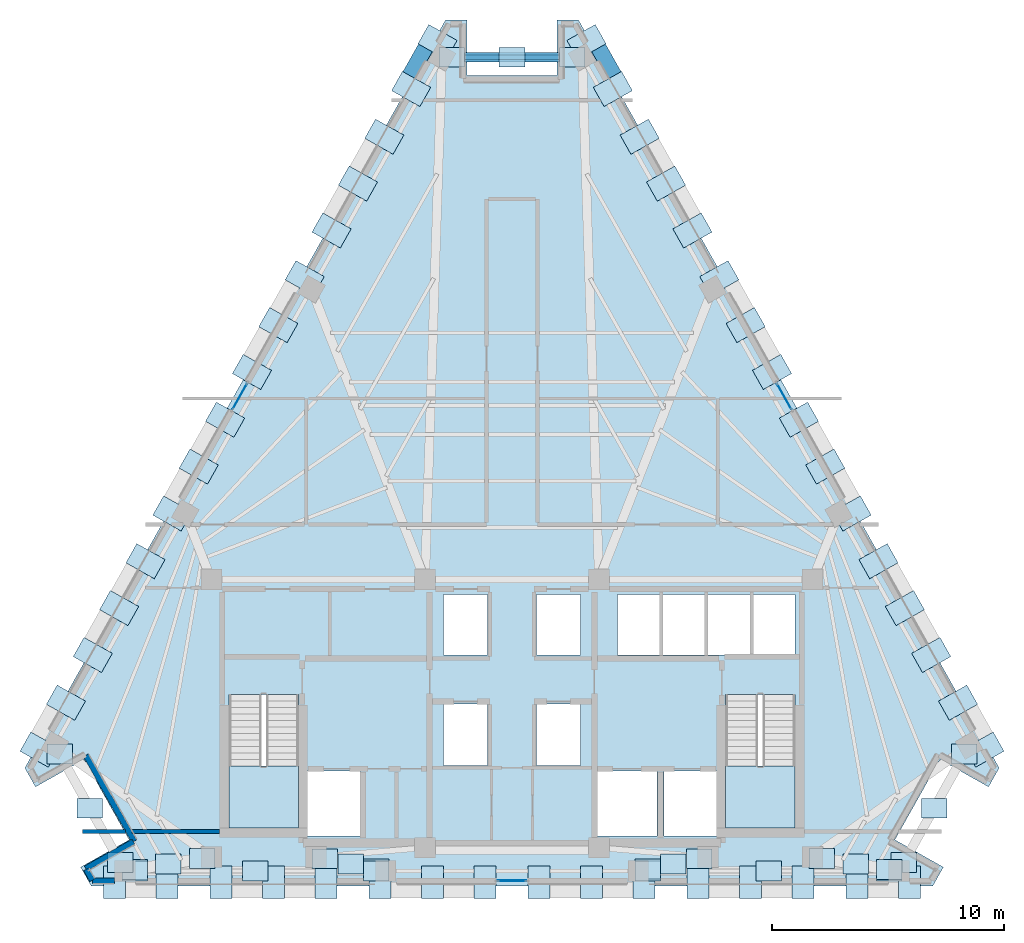
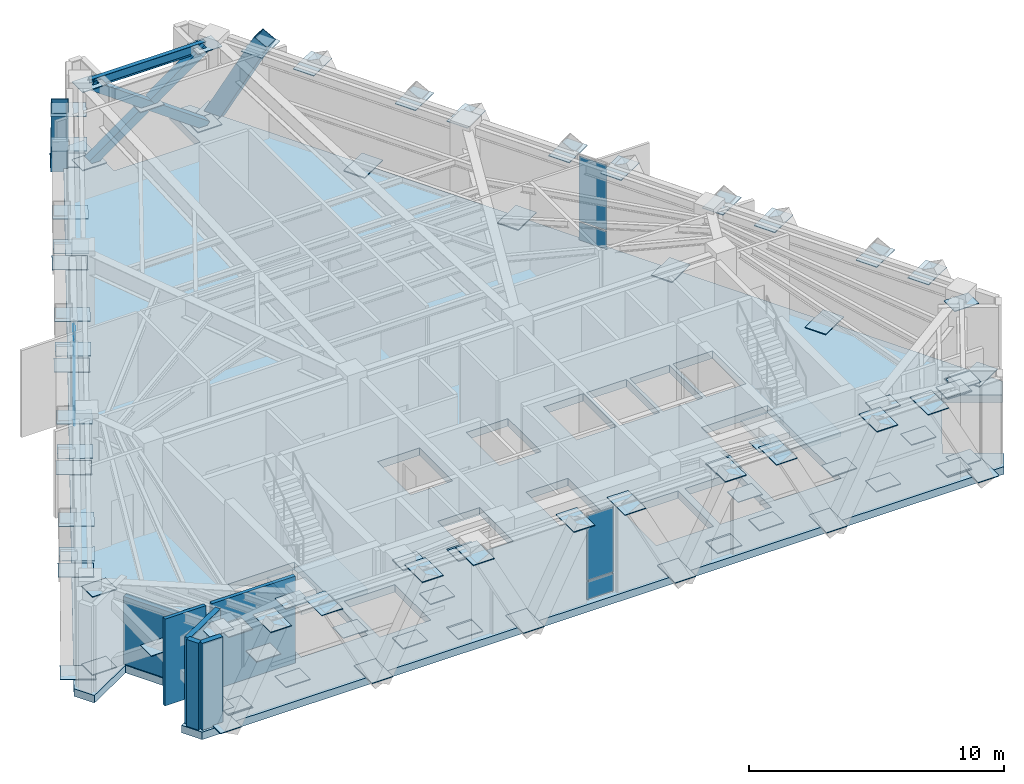
# One storey, part 5 of 11: 99 plates, 6 walls, 5 members, 3 slabs, 1 beam, 5 elements without a shape of their own.
"""IFC4 building model written with IfcOpenShell, lengths in metres."""

from ifc_helpers import new_model, si_unit, direction, frame, frame_2d, origin, origin_2d, place, context, subcontext, project, spatial, polyline, rectangle, hollow_rectangle, i_section, outline, extrude, material, layer, layer_set, material_profile, profile_set, type_object, element, aggregate, save


model = new_model("IFC4")

# Units and contexts
model_context = context("Model", 3, precision=1e-05, world=origin(), true_north=direction((0.0, 1.0)))
body_context = subcontext(model_context, "Body", "Model", "MODEL_VIEW")
ifc_project = project(units=[si_unit("LENGTHUNIT", "METRE"), si_unit("AREAUNIT", "SQUARE_METRE"), si_unit("VOLUMEUNIT", "CUBIC_METRE"), si_unit("PLANEANGLEUNIT", "RADIAN"), si_unit("MASSUNIT", "GRAM", prefix="KILO")], contexts=[model_context])

# Site, building, storey
site_placement = place(None, origin())
site = spatial("IfcSite", under=ifc_project, at=site_placement, CompositionType="ELEMENT")
building_placement = place(site_placement, origin())
building = spatial("IfcBuilding", under=site, at=building_placement, Name="Quenlor Broadcast Tower", CompositionType="ELEMENT")
storey_placement = place(building_placement, frame((0.0, 0.0, 179.0)))
storey = spatial("IfcBuildingStorey", under=building, at=storey_placement, Name="L49", CompositionType="ELEMENT", Elevation=179.0)

# Members
ifc_material_1 = material(Name="Steel S355", Category="steel")
ifc_material_profile_1 = material_profile(ifc_material_1, hollow_rectangle(XDim=0.39990234375, YDim=0.39990234375, WallThickness=0.02197265625, at=origin_2d()))
ifc_profile_set_1 = profile_set([ifc_material_profile_1], Name="Steel S355 RHS400x400x22")
member_type_1 = type_object("IfcMemberType", Name="Belt Truss Diagonal Chord Steel S355 RHS400x22", PredefinedType="CHORD", material=ifc_profile_set_1)
member_placement = place(storey_placement, frame((2.6005859375, 17.704345703125, 0.199951171875), z_axis=(-0.81263407144, 0.0, 0.582774283865), x_axis=(0.0, -1.0, 0.0)))
element("IfcMember", 1, at=member_placement, inside=storey, type_object=member_type_1, Name="L49 Belt Truss Continuous Chord 8A", PredefinedType="CHORD", context=body_context, shape_type="SweptSolid", body=[
    extrude(hollow_rectangle(XDim=0.39990234375, YDim=0.39990234375, WallThickness=0.02197265625, at=origin_2d()), origin(), (0.0, 0.0, 1.0), 6.400390625),
])
for number, where, z_axis, x_axis, name in (
    (2, (2.6005859375, 17.704345703125, 3.929931640625), (-0.812663494115, 0.0, -0.582733254013), (0.0, -1.0, 0.0), "L49 Belt Truss Split Chord 8B1"),
    (3, (-0.154296875, 17.704345703125, 1.954345703125), (-0.812625085998, 0.0, -0.582786813172), (0.0, -1.0, 0.0), "L49 Belt Truss Split Chord 8B2"),
):
    element("IfcMember", number, at=place(storey_placement, frame(where, z_axis=z_axis, x_axis=x_axis)), inside=storey, type_object=member_type_1, Name=name, PredefinedType="CHORD", context=body_context, shape_type="SweptSolid", body=[
        extrude(hollow_rectangle(XDim=0.39990234375, YDim=0.39990234375, WallThickness=0.02197265625, at=origin_2d()), origin(), (0.0, 0.0, 1.0), 3.01025390625),
    ])
ifc_material_2 = material(Name="Steel S355", Category="steel")
ifc_material_profile_2 = material_profile(ifc_material_2, hollow_rectangle(XDim=0.679931640625, YDim=0.679931640625, WallThickness=0.02490234375, at=origin_2d()))
ifc_profile_set_2 = profile_set([ifc_material_profile_2], Name="Steel S355 RHS680x680x25")
member_type_2 = type_object("IfcMemberType", Name="Perimeter Diagonal Lattice Brace Z3-Z4 Steel S355 RHS680x25", PredefinedType="BRACE", material=ifc_profile_set_2)
for number, where, z_axis, x_axis, name in (
    (4, (3.50732421875, 18.51171875, -0.1201171875), (0.227393238836, -0.40425464682, 0.885929170677), (0.871575537125, 0.490261239633, 0.0), "L49 Perimeter Diamond Lattice NE-C1S"),
    (5, (-3.50732421875, 18.51171875, -0.1201171875), (-0.227393238836, -0.40425464682, 0.885929170677), (0.871575537125, -0.490261239633, 0.0), "L49 Perimeter Diamond Lattice NW-C5B"),
):
    element("IfcMember", number, at=place(storey_placement, frame(where, z_axis=z_axis, x_axis=x_axis)), inside=storey, type_object=member_type_2, Name=name, PredefinedType="BRACE", context=body_context, shape_type="SweptSolid", body=[
        extrude(hollow_rectangle(XDim=0.679931640625, YDim=0.679931640625, WallThickness=0.02490234375, at=origin_2d()), origin(), (0.0, 0.0, 1.0), 4.966796875),
    ])

# Beam
ifc_material_3 = material(Name="Steel S355", Category="steel")
ifc_material_profile_3 = material_profile(ifc_material_3, i_section(OverallWidth=0.18994140625, OverallDepth=0.453857421875, WebThickness=0.008544921875, FlangeThickness=0.0126953125, FilletRadius=0.011474609375, at=origin_2d()))
ifc_profile_set_3 = profile_set([ifc_material_profile_3], Name="Steel S355 460UB67.1")
beam_type = type_object("IfcBeamType", Name="Perimeter Spandrel Beam Z4 Steel S355 460UB67.1", PredefinedType="SPANDREL", material=ifc_profile_set_3)
beam_placement = place(storey_placement, frame((2.610595703125, 17.704345703125, 3.923095703125), z_axis=(-1.0, 0.0, 0.0), x_axis=(0.0, -1.0, 0.0)))
element("IfcBeam", 6, at=beam_placement, inside=storey, type_object=beam_type, Name="L49 Spandrel Beam NE4-NW1", PredefinedType="SPANDREL", context=body_context, shape_type="SweptSolid", body=[
    extrude(i_section(OverallWidth=0.18994140625, OverallDepth=0.453857421875, WebThickness=0.008544921875, FlangeThickness=0.0126953125, FilletRadius=0.011474609375, at=origin_2d()), origin(), (0.0, 0.0, 1.0), 5.22119140625),
])

# Curtain wall, plates
ifc_material_4 = material(Name="Architectural Terracotta and Low-E Glazing", Category="masonry")
curtain_wall_type = type_object("IfcCurtainWallType", Name="Unitised Terracotta Curtain Wall System Z4", PredefinedType="NOTDEFINED", material=ifc_material_4)
curtain_wall_1_placement = place(storey_placement, origin())
curtain_wall_1 = element("IfcCurtainWall", 7, at=curtain_wall_1_placement, inside=storey, type_object=curtain_wall_type, Name="L49 Curtain Wall CW4 (L49-S-G1)", PredefinedType="NOTDEFINED")
ifc_material_5 = material(Name="Double Glazed Low-E Solar Glass", Category="glass")
ifc_layer_1 = layer(ifc_material_5, 0.028076171875)
ifc_layer_set_1 = layer_set([ifc_layer_1], Name="CW4 Double Glazed Vision Panel 28")
plate_type_1 = type_object("IfcPlateType", Name="CW4 Double Glazed Vision Panel 28", PredefinedType="CURTAIN_PANEL", material=ifc_layer_set_1)
plate_1_placement = place(storey_placement, frame((0.0, -17.77490234375, 0.06787109375), z_axis=(0.0, 0.0, 1.0), x_axis=(-1.0, 0.0, 0.0)))
plate_1 = element("IfcPlate", 8, at=plate_1_placement, type_object=plate_type_1, Name="CW4 panel 1.1", PredefinedType="CURTAIN_PANEL", context=body_context, shape_type="SweptSolid", body=[
    extrude(rectangle(XDim=1.206787109375, YDim=0.028076171875, at=origin_2d()), origin(), (0.0, 0.0, 1.0), 0.847900390625),
])
plate_2_placement = place(storey_placement, frame((0.0, -17.77490234375, 0.98388671875), z_axis=(0.0, 0.0, 1.0), x_axis=(-1.0, 0.0, 0.0)))
plate_2 = element("IfcPlate", 9, at=plate_2_placement, type_object=plate_type_1, Name="CW4 panel 1.2", PredefinedType="CURTAIN_PANEL", context=body_context, shape_type="SweptSolid", body=[
    extrude(rectangle(XDim=1.206787109375, YDim=0.028076171875, at=origin_2d()), origin(), (0.0, 0.0, 1.0), 3.097900390625),
])
aggregate(curtain_wall_1, [plate_1, plate_2])

curtain_wall_2_placement = place(storey_placement, origin())
curtain_wall_2 = element("IfcCurtainWall", 10, at=curtain_wall_2_placement, inside=storey, type_object=curtain_wall_type, Name="L49 Curtain Wall CW4 (L49-NE-G1)", PredefinedType="NOTDEFINED")
plate_3_placement = place(storey_placement, frame((11.72900390625, 3.089599609375, 0.06787109375), z_axis=(0.0, 0.0, 1.0), x_axis=(0.490268073687, -0.871571692934, 0.0)))
plate_3 = element("IfcPlate", 11, at=plate_3_placement, type_object=plate_type_1, Name="CW4 panel 1.1", PredefinedType="CURTAIN_PANEL", context=body_context, shape_type="SweptSolid", body=[
    extrude(rectangle(XDim=1.25341796875, YDim=0.028076171875, at=origin_2d()), origin(), (0.0, 0.0, 1.0), 0.847900390625),
])
plate_4_placement = place(storey_placement, frame((11.72900390625, 3.089599609375, 0.98388671875), z_axis=(0.0, 0.0, 1.0), x_axis=(0.490268073687, -0.871571692934, 0.0)))
plate_4 = element("IfcPlate", 12, at=plate_4_placement, type_object=plate_type_1, Name="CW4 panel 1.2", PredefinedType="CURTAIN_PANEL", context=body_context, shape_type="SweptSolid", body=[
    extrude(rectangle(XDim=1.25341796875, YDim=0.028076171875, at=origin_2d()), origin(), (0.0, 0.0, 1.0), 3.097900390625),
])
aggregate(curtain_wall_2, [plate_3, plate_4])

curtain_wall_3_placement = place(storey_placement, origin())
curtain_wall_3 = element("IfcCurtainWall", 13, at=curtain_wall_3_placement, inside=storey, type_object=curtain_wall_type, Name="L49 Curtain Wall CW4 (L49-NW-G1)", PredefinedType="NOTDEFINED")
plate_5_placement = place(storey_placement, frame((-11.72900390625, 3.089599609375, 0.06787109375), z_axis=(0.0, 0.0, 1.0), x_axis=(0.490268073687, 0.871571692934, 0.0)))
plate_5 = element("IfcPlate", 14, at=plate_5_placement, type_object=plate_type_1, Name="CW4 panel 1.1", PredefinedType="CURTAIN_PANEL", context=body_context, shape_type="SweptSolid", body=[
    extrude(rectangle(XDim=1.25341796875, YDim=0.028076171875, at=origin_2d()), origin(), (0.0, 0.0, 1.0), 0.847900390625),
])
plate_6_placement = place(storey_placement, frame((-11.72900390625, 3.089599609375, 0.98388671875), z_axis=(0.0, 0.0, 1.0), x_axis=(0.490268073687, 0.871571692934, 0.0)))
plate_6 = element("IfcPlate", 15, at=plate_6_placement, type_object=plate_type_1, Name="CW4 panel 1.2", PredefinedType="CURTAIN_PANEL", context=body_context, shape_type="SweptSolid", body=[
    extrude(rectangle(XDim=1.25341796875, YDim=0.028076171875, at=origin_2d()), origin(), (0.0, 0.0, 1.0), 3.097900390625),
])
aggregate(curtain_wall_3, [plate_5, plate_6])

# Plates
ifc_material_6 = material(Name="Steel S355", Category="steel")
ifc_layer_2 = layer(ifc_material_6, 0.031982421875)
ifc_layer_set_2 = layer_set([ifc_layer_2], Name="Outrigger Perimeter Steel S355 Belt Gusset Plate 1100x850x32")
plate_type_2 = type_object("IfcPlateType", Name="Outrigger Perimeter Steel S355 Belt Gusset Plate 1100x850x32", PredefinedType="SHEET", material=ifc_layer_set_2)
for number, where, z_axis, x_axis, name in (
    (16, (-14.802978515625, -17.04833984375, 2.048828125), (0.0, 0.0, 1.0), (1.0, 0.0, 0.0), "L49 Outrigger Gusset Plate 1-MID"),
    (17, (-13.344970703125, -16.813720703125, 0.18408203125), (0.0, 0.0, 1.0), (1.0, 0.0, 0.0), "L49 Outrigger Gusset Plate 1-E1"),
    (18, (-16.26123046875, -17.283203125, 3.9140625), (0.0, 0.0, 1.0), (1.0, 0.0, 0.0), "L49 Outrigger Gusset Plate 1-E2"),
    (19, (-13.344970703125, -16.813720703125, 3.9140625), (0.0, 0.0, 1.0), (1.0, 0.0, 0.0), "L49 Outrigger Gusset Plate 1-E3"),
    (20, (-16.26123046875, -17.283203125, 0.18408203125), (0.0, 0.0, 1.0), (1.0, 0.0, 0.0), "L49 Outrigger Gusset Plate 1-E4"),
    (21, (14.802978515625, -17.04833984375, 2.048828125), (0.0, 0.0, 1.0), (1.0, 0.0, 0.0), "L49 Outrigger Gusset Plate 2-MID"),
    (22, (13.344970703125, -16.813720703125, 0.18408203125), (0.0, 0.0, 1.0), (1.0, 0.0, 0.0), "L49 Outrigger Gusset Plate 2-E1"),
    (23, (16.26123046875, -17.283203125, 3.9140625), (0.0, 0.0, 1.0), (1.0, 0.0, 0.0), "L49 Outrigger Gusset Plate 2-E2"),
    (24, (13.344970703125, -16.813720703125, 3.9140625), (0.0, 0.0, 1.0), (1.0, 0.0, 0.0), "L49 Outrigger Gusset Plate 2-E3"),
    (25, (16.26123046875, -17.283203125, 0.18408203125), (0.0, 0.0, 1.0), (1.0, 0.0, 0.0), "L49 Outrigger Gusset Plate 2-E4"),
    (26, (-6.95361328125, -17.048095703125, 2.048828125), (0.0, 0.0, 1.0), (1.0, 0.0, 0.0), "L49 Outrigger Gusset Plate 3-MID"),
    (27, (-8.0576171875, -16.828125, 0.18408203125), (0.0, 0.0, 1.0), (1.0, 0.0, 0.0), "L49 Outrigger Gusset Plate 3-E1"),
    (28, (-5.849609375, -17.26806640625, 3.9140625), (0.0, 0.0, 1.0), (1.0, 0.0, 0.0), "L49 Outrigger Gusset Plate 3-E2"),
    (29, (-8.0576171875, -16.828125, 3.9140625), (0.0, 0.0, 1.0), (1.0, 0.0, 0.0), "L49 Outrigger Gusset Plate 3-E3"),
    (30, (-5.849609375, -17.26806640625, 0.18408203125), (0.0, 0.0, 1.0), (1.0, 0.0, 0.0), "L49 Outrigger Gusset Plate 3-E4"),
    (31, (6.95361328125, -17.048095703125, 2.048828125), (0.0, 0.0, 1.0), (1.0, 0.0, 0.0), "L49 Outrigger Gusset Plate 4-MID"),
    (32, (8.0576171875, -16.828125, 0.18408203125), (0.0, 0.0, 1.0), (1.0, 0.0, 0.0), "L49 Outrigger Gusset Plate 4-E1"),
    (33, (5.849609375, -17.26806640625, 3.9140625), (0.0, 0.0, 1.0), (1.0, 0.0, 0.0), "L49 Outrigger Gusset Plate 4-E2"),
    (34, (8.0576171875, -16.828125, 3.9140625), (0.0, 0.0, 1.0), (1.0, 0.0, 0.0), "L49 Outrigger Gusset Plate 4-E3"),
    (35, (5.849609375, -17.26806640625, 0.18408203125), (0.0, 0.0, 1.0), (1.0, 0.0, 0.0), "L49 Outrigger Gusset Plate 4-E4"),
    (36, (-11.056884765625, -17.35009765625, 2.048828125), (0.0, 0.0, 1.0), (1.0, 0.0, 0.0), "L49 Belt Truss Gusset Plate 1-MID"),
    (37, (-16.255859375, -17.35009765625, 0.18408203125), (0.0, 0.0, 1.0), (1.0, 0.0, 0.0), "L49 Belt Truss Gusset Plate 1-E1"),
    (38, (-5.85791015625, -17.35009765625, 3.9140625), (0.0, 0.0, 1.0), (1.0, 0.0, 0.0), "L49 Belt Truss Gusset Plate 1-E2"),
    (39, (-16.255859375, -17.35009765625, 3.9140625), (0.0, 0.0, 1.0), (1.0, 0.0, 0.0), "L49 Belt Truss Gusset Plate 1-E3"),
    (40, (-5.85791015625, -17.35009765625, 0.18408203125), (0.0, 0.0, 1.0), (1.0, 0.0, 0.0), "L49 Belt Truss Gusset Plate 1-E4"),
    (41, (11.056884765625, -17.35009765625, 2.048828125), (0.0, 0.0, 1.0), (1.0, 0.0, 0.0), "L49 Belt Truss Gusset Plate 3-MID"),
    (42, (5.85791015625, -17.35009765625, 0.18408203125), (0.0, 0.0, 1.0), (1.0, 0.0, 0.0), "L49 Belt Truss Gusset Plate 3-E1"),
    (43, (16.255859375, -17.35009765625, 3.9140625), (0.0, 0.0, 1.0), (1.0, 0.0, 0.0), "L49 Belt Truss Gusset Plate 3-E2"),
    (44, (5.85791015625, -17.35009765625, 3.9140625), (0.0, 0.0, 1.0), (1.0, 0.0, 0.0), "L49 Belt Truss Gusset Plate 3-E3"),
    (45, (16.255859375, -17.35009765625, 0.18408203125), (0.0, 0.0, 1.0), (1.0, 0.0, 0.0), "L49 Belt Truss Gusset Plate 3-E4"),
    (46, (18.186279296875, -14.645751953125, 2.048828125), (0.0, 0.0, 1.0), (1.0, 0.0, 0.0), "L49 Belt Truss Gusset Plate 4-MID"),
    (47, (16.880615234375, -16.9833984375, 0.18408203125), (0.0, 0.0, 1.0), (1.0, 0.0, 0.0), "L49 Belt Truss Gusset Plate 4-E1"),
    (48, (19.49169921875, -12.308349609375, 3.9140625), (0.0, 0.0, 1.0), (1.0, 0.0, 0.0), "L49 Belt Truss Gusset Plate 4-E2"),
    (49, (16.880615234375, -16.9833984375, 3.9140625), (0.0, 0.0, 1.0), (1.0, 0.0, 0.0), "L49 Belt Truss Gusset Plate 4-E3"),
    (50, (19.49169921875, -12.308349609375, 0.18408203125), (0.0, 0.0, 1.0), (1.0, 0.0, 0.0), "L49 Belt Truss Gusset Plate 4-E4"),
    (51, (0.0, 17.704345703125, 2.048828125), (0.0, 0.0, 1.0), (1.0, 0.0, 0.0), "L49 Belt Truss Gusset Plate 8-MID"),
    (52, (2.6005859375, 17.704345703125, 0.18408203125), (0.0, 0.0, 1.0), (1.0, 0.0, 0.0), "L49 Belt Truss Gusset Plate 8-E1"),
    (53, (-2.6005859375, 17.704345703125, 3.9140625), (0.0, 0.0, 1.0), (1.0, 0.0, 0.0), "L49 Belt Truss Gusset Plate 8-E2"),
    (54, (2.6005859375, 17.704345703125, 3.9140625), (0.0, 0.0, 1.0), (1.0, 0.0, 0.0), "L49 Belt Truss Gusset Plate 8-E3"),
    (55, (-2.6005859375, 17.704345703125, 0.18408203125), (0.0, 0.0, 1.0), (1.0, 0.0, 0.0), "L49 Belt Truss Gusset Plate 8-E4"),
    (56, (-18.186279296875, -14.645751953125, 2.048828125), (0.0, 0.0, 1.0), (1.0, 0.0, 0.0), "L49 Belt Truss Gusset Plate 12-MID"),
    (57, (-19.49169921875, -12.308349609375, 0.18408203125), (0.0, 0.0, 1.0), (1.0, 0.0, 0.0), "L49 Belt Truss Gusset Plate 12-E1"),
    (58, (-16.880615234375, -16.9833984375, 3.9140625), (0.0, 0.0, 1.0), (1.0, 0.0, 0.0), "L49 Belt Truss Gusset Plate 12-E2"),
    (59, (-19.49169921875, -12.308349609375, 3.9140625), (0.0, 0.0, 1.0), (1.0, 0.0, 0.0), "L49 Belt Truss Gusset Plate 12-E3"),
    (60, (-16.880615234375, -16.9833984375, 0.18408203125), (0.0, 0.0, 1.0), (1.0, 0.0, 0.0), "L49 Belt Truss Gusset Plate 12-E4"),
):
    element("IfcPlate", number, at=place(storey_placement, frame(where, z_axis=z_axis, x_axis=x_axis)), inside=storey, type_object=plate_type_2, Name=name, PredefinedType="SHEET", context=body_context, shape_type="SweptSolid", body=[
        extrude(rectangle(XDim=1.10009765625, YDim=0.85009765625, at=origin_2d()), origin(), (0.0, 0.0, 1.0), 0.031982421875),
    ])

# Slab
ifc_material_7 = material(Name="Concrete C50/60", Category="concrete")
ifc_layer_3 = layer(ifc_material_7, 0.360107421875)
ifc_layer_set_3 = layer_set([ifc_layer_3], Name="Outrigger Plant Concrete C50/60 Slab 360")
slab_type_1 = type_object("IfcSlabType", Name="Outrigger Plant Concrete C50/60 Slab 360", PredefinedType="FLOOR", material=ifc_layer_set_3)
slab_1_placement = place(storey_placement, frame((0.0, 0.0, -0.360107421875)))
element("IfcSlab", 61, at=slab_1_placement, inside=storey, type_object=slab_type_1, Name="L49 Structural Floor Slab", PredefinedType="FLOOR", context=body_context, shape_type="SweptSolid", body=[
    extrude(outline(polyline([(18.1259765625, -18.0), (18.583984375, -17.185791015625), (16.4921875, -16.00927734375), (18.438232421875, -12.549560546875), (20.530029296875, -13.72607421875), (20.988037109375, -12.912109375), (2.862060546875, 19.31201171875), (1.9462890625, 19.31201171875), (1.9462890625, 16.912109375), (-1.9462890625, 16.912109375), (-1.9462890625, 19.31201171875), (-2.862060546875, 19.31201171875), (-20.988037109375, -12.912109375), (-20.530029296875, -13.72607421875), (-18.438232421875, -12.549560546875), (-16.4921875, -16.00927734375), (-18.583984375, -17.185791015625), (-18.1259765625, -18.0), (18.1259765625, -18.0)]), holes=[polyline([(-12.199951171875, -9.758056640625), (-12.199951171875, -15.5), (-9.199951171875, -15.5), (-9.199951171875, -9.758056640625), (-12.199951171875, -9.758056640625)]), polyline([(9.199951171875, -9.758056640625), (9.199951171875, -15.5), (12.199951171875, -15.5), (12.199951171875, -9.758056640625), (9.199951171875, -9.758056640625)]), polyline([(-2.949951171875, -8.050048828125), (-1.050048828125, -8.050048828125), (-1.050048828125, -5.449951171875), (-2.949951171875, -5.449951171875), (-2.949951171875, -8.050048828125)]), polyline([(1.050048828125, -8.050048828125), (2.949951171875, -8.050048828125), (2.949951171875, -5.449951171875), (1.050048828125, -5.449951171875), (1.050048828125, -8.050048828125)]), polyline([(-2.949951171875, -12.800048828125), (-1.050048828125, -12.800048828125), (-1.050048828125, -10.14990234375), (-2.949951171875, -10.14990234375), (-2.949951171875, -12.800048828125)]), polyline([(1.050048828125, -12.800048828125), (2.949951171875, -12.800048828125), (2.949951171875, -10.14990234375), (1.050048828125, -10.14990234375), (1.050048828125, -12.800048828125)]), polyline([(4.550048828125, -8.050048828125), (6.35009765625, -8.050048828125), (6.35009765625, -5.449951171875), (4.550048828125, -5.449951171875), (4.550048828125, -8.050048828125)]), polyline([(6.5, -8.050048828125), (8.300048828125, -8.050048828125), (8.300048828125, -5.449951171875), (6.5, -5.449951171875), (6.5, -8.050048828125)]), polyline([(8.449951171875, -8.050048828125), (10.25, -8.050048828125), (10.25, -5.449951171875), (8.449951171875, -5.449951171875), (8.449951171875, -8.050048828125)]), polyline([(10.39990234375, -8.050048828125), (12.199951171875, -8.050048828125), (12.199951171875, -5.449951171875), (10.39990234375, -5.449951171875), (10.39990234375, -8.050048828125)]), polyline([(-8.85009765625, -15.85009765625), (-6.550048828125, -15.85009765625), (-6.550048828125, -13.050048828125), (-8.85009765625, -13.050048828125), (-8.85009765625, -15.85009765625)]), polyline([(6.550048828125, -15.85009765625), (8.85009765625, -15.85009765625), (8.85009765625, -13.050048828125), (6.550048828125, -13.050048828125), (6.550048828125, -15.85009765625)]), polyline([(3.64990234375, -15.85009765625), (6.25, -15.85009765625), (6.25, -13.050048828125), (3.64990234375, -13.050048828125), (3.64990234375, -15.85009765625)])]), origin(), (0.0, 0.0, 1.0), 0.360107421875),
])

# Stair, slab
ifc_material_8 = material(Name="Precast concrete C40/50", Category="concrete")
stair_type = type_object("IfcStairType", Name="Precast Concrete C40/50 Dogleg Stair H440", PredefinedType="HALF_TURN_STAIR", material=ifc_material_8)
stair_1_placement = place(storey_placement, origin())
stair_1 = element("IfcStair", 62, at=stair_1_placement, inside=storey, type_object=stair_type, Name="L49 West Core Fire-Isolated Exit Stair ST-1", PredefinedType="HALF_TURN_STAIR")
ifc_material_9 = material(Name="Precast concrete C40/50", Category="concrete")
ifc_layer_4 = layer(ifc_material_9, 0.199951171875)
ifc_layer_set_4 = layer_set([ifc_layer_4], Name="Precast Concrete C40/50 Stair Landing Slab 200")
slab_type_2 = type_object("IfcSlabType", Name="Precast Concrete C40/50 Stair Landing Slab 200", PredefinedType="LANDING", material=ifc_layer_set_4)
slab_2_placement = place(storey_placement, frame((0.0, 0.0, 2.0)))
slab_2 = element("IfcSlab", 63, at=slab_2_placement, type_object=slab_type_2, Name="ST-1 landing 1", PredefinedType="LANDING", context=body_context, shape_type="SweptSolid", body=[
    extrude(outline(polyline([(-12.199951171875, -12.830078125), (-12.199951171875, -15.5), (-9.199951171875, -15.5), (-9.199951171875, -12.830078125), (-12.199951171875, -12.830078125)])), origin(), (0.0, 0.0, 1.0), 0.199951171875),
])
aggregate(stair_1, [slab_2])

stair_2_placement = place(storey_placement, origin())
stair_2 = element("IfcStair", 64, at=stair_2_placement, inside=storey, type_object=stair_type, Name="L49 East Core Fire-Isolated Exit Stair ST-2", PredefinedType="HALF_TURN_STAIR")
slab_3_placement = place(storey_placement, frame((0.0, 0.0, 2.0)))
slab_3 = element("IfcSlab", 65, at=slab_3_placement, type_object=slab_type_2, Name="ST-2 landing 1", PredefinedType="LANDING", context=body_context, shape_type="SweptSolid", body=[
    extrude(outline(polyline([(9.199951171875, -12.830078125), (9.199951171875, -15.5), (12.199951171875, -15.5), (12.199951171875, -12.830078125), (9.199951171875, -12.830078125)])), origin(), (0.0, 0.0, 1.0), 0.199951171875),
])
aggregate(stair_2, [slab_3])

# Plates
ifc_material_10 = material(Name="Steel S355", Category="steel")
ifc_layer_5 = layer(ifc_material_10, 0.035888671875)
ifc_layer_set_5 = layer_set([ifc_layer_5], Name="Transfer Truss Steel S355 Gusset Node Plate 1400x950x36")
plate_type_3 = type_object("IfcPlateType", Name="Transfer Truss Steel S355 Gusset Node Plate 1400x950x36", PredefinedType="SHEET", material=ifc_layer_set_5)
for number, where, z_axis, x_axis, name in (
    (66, (17.1259765625, -17.8349609375, 0.0419921875), (0.0, 0.0, 1.0), (0.0, -1.0, 0.0), "L49 Lattice Tie Gusset Node S-B0"),
    (67, (14.856201171875, -17.8349609375, 4.08203125), (0.0, 0.0, 1.0), (0.0, -1.0, 0.0), "L49 Lattice Tie Gusset Node S-T1"),
    (68, (10.275634765625, -17.8349609375, 0.0419921875), (0.0, 0.0, 1.0), (0.0, -1.0, 0.0), "L49 Lattice Tie Gusset Node S-B3"),
    (69, (12.54541015625, -17.8349609375, 4.08203125), (0.0, 0.0, 1.0), (0.0, -1.0, 0.0), "L49 Lattice Tie Gusset Node S-T2"),
    (70, (8.005859375, -17.8349609375, 4.08203125), (0.0, 0.0, 1.0), (0.0, -1.0, 0.0), "L49 Lattice Tie Gusset Node S-T4"),
    (71, (3.42529296875, -17.8349609375, 0.0419921875), (0.0, 0.0, 1.0), (0.0, -1.0, 0.0), "L49 Lattice Tie Gusset Node S-B6"),
    (72, (5.695068359375, -17.8349609375, 4.08203125), (0.0, 0.0, 1.0), (0.0, -1.0, 0.0), "L49 Lattice Tie Gusset Node S-T5"),
    (73, (1.155517578125, -17.8349609375, 4.08203125), (0.0, 0.0, 1.0), (0.0, -1.0, 0.0), "L49 Lattice Tie Gusset Node S-T7"),
    (74, (-3.42529296875, -17.8349609375, 0.0419921875), (0.0, 0.0, 1.0), (0.0, -1.0, 0.0), "L49 Lattice Tie Gusset Node S-B9"),
    (75, (-1.155517578125, -17.8349609375, 4.08203125), (0.0, 0.0, 1.0), (0.0, -1.0, 0.0), "L49 Lattice Tie Gusset Node S-T8"),
    (76, (-5.695068359375, -17.8349609375, 4.08203125), (0.0, 0.0, 1.0), (0.0, -1.0, 0.0), "L49 Lattice Tie Gusset Node S-T10"),
    (77, (-10.275634765625, -17.8349609375, 0.0419921875), (0.0, 0.0, 1.0), (0.0, -1.0, 0.0), "L49 Lattice Tie Gusset Node S-B12"),
    (78, (-8.005859375, -17.8349609375, 4.08203125), (0.0, 0.0, 1.0), (0.0, -1.0, 0.0), "L49 Lattice Tie Gusset Node S-T11"),
    (79, (-12.54541015625, -17.8349609375, 4.08203125), (0.0, 0.0, 1.0), (0.0, -1.0, 0.0), "L49 Lattice Tie Gusset Node S-T13"),
    (80, (-17.1259765625, -17.8349609375, 0.0419921875), (0.0, 0.0, 1.0), (0.0, -1.0, 0.0), "L49 Lattice Tie Gusset Node S-B15"),
    (81, (-14.856201171875, -17.8349609375, 4.08203125), (0.0, 0.0, 1.0), (0.0, -1.0, 0.0), "L49 Lattice Tie Gusset Node S-T14"),
    (82, (3.20849609375, 18.359619140625, 0.0419921875), (0.0, 0.0, 1.0), (0.871556314255, 0.490295412055, 0.0), "L49 Lattice Tie Gusset Node NE-B0"),
    (83, (4.344482421875, 16.339599609375, 4.08203125), (0.0, 0.0, 1.0), (0.871556314255, 0.490295412055, 0.0), "L49 Lattice Tie Gusset Node NE-T1"),
    (84, (6.6376953125, 12.263427734375, 0.0419921875), (0.0, 0.0, 1.0), (0.871556314255, 0.490295412055, 0.0), "L49 Lattice Tie Gusset Node NE-B3"),
    (85, (5.50146484375, 14.283203125, 4.08203125), (0.0, 0.0, 1.0), (0.871556314255, 0.490295412055, 0.0), "L49 Lattice Tie Gusset Node NE-T2"),
    (86, (7.773681640625, 10.243408203125, 4.08203125), (0.0, 0.0, 1.0), (0.871556314255, 0.490295412055, 0.0), "L49 Lattice Tie Gusset Node NE-T4"),
    (87, (10.066650390625, 6.167236328125, 0.0419921875), (0.0, 0.0, 1.0), (0.871556314255, 0.490295412055, 0.0), "L49 Lattice Tie Gusset Node NE-B6"),
    (88, (8.930419921875, 8.18701171875, 4.08203125), (0.0, 0.0, 1.0), (0.871556314255, 0.490295412055, 0.0), "L49 Lattice Tie Gusset Node NE-T5"),
    (89, (11.202880859375, 4.147216796875, 4.08203125), (0.0, 0.0, 1.0), (0.871556314255, 0.490295412055, 0.0), "L49 Lattice Tie Gusset Node NE-T7"),
    (90, (13.49560546875, 0.071044921875, 0.0419921875), (0.0, 0.0, 1.0), (0.871556314255, 0.490295412055, 0.0), "L49 Lattice Tie Gusset Node NE-B9"),
    (91, (12.359619140625, 2.0908203125, 4.08203125), (0.0, 0.0, 1.0), (0.871556314255, 0.490295412055, 0.0), "L49 Lattice Tie Gusset Node NE-T8"),
    (92, (14.6318359375, -1.94873046875, 4.08203125), (0.0, 0.0, 1.0), (0.871556314255, 0.490295412055, 0.0), "L49 Lattice Tie Gusset Node NE-T10"),
    (93, (16.9248046875, -6.025146484375, 0.0419921875), (0.0, 0.0, 1.0), (0.871556314255, 0.490295412055, 0.0), "L49 Lattice Tie Gusset Node NE-B12"),
    (94, (15.788818359375, -4.00537109375, 4.08203125), (0.0, 0.0, 1.0), (0.871556314255, 0.490295412055, 0.0), "L49 Lattice Tie Gusset Node NE-T11"),
    (95, (18.06103515625, -8.044921875, 4.08203125), (0.0, 0.0, 1.0), (0.871556314255, 0.490295412055, 0.0), "L49 Lattice Tie Gusset Node NE-T13"),
    (96, (20.35400390625, -12.121337890625, 0.0419921875), (0.0, 0.0, 1.0), (0.871556314255, 0.490295412055, 0.0), "L49 Lattice Tie Gusset Node NE-B15"),
    (97, (19.2177734375, -10.101318359375, 4.08203125), (0.0, 0.0, 1.0), (0.871556314255, 0.490295412055, 0.0), "L49 Lattice Tie Gusset Node NE-T14"),
    (98, (-20.35400390625, -12.121337890625, 0.0419921875), (0.0, 0.0, 1.0), (-0.871556314255, 0.490295412055, 0.0), "L49 Lattice Tie Gusset Node NW-B0"),
    (99, (-19.2177734375, -10.101318359375, 4.08203125), (0.0, 0.0, 1.0), (-0.871556314255, 0.490295412055, 0.0), "L49 Lattice Tie Gusset Node NW-T1"),
    (100, (-16.9248046875, -6.025146484375, 0.0419921875), (0.0, 0.0, 1.0), (-0.871556314255, 0.490295412055, 0.0), "L49 Lattice Tie Gusset Node NW-B3"),
    (101, (-18.06103515625, -8.044921875, 4.08203125), (0.0, 0.0, 1.0), (-0.871556314255, 0.490295412055, 0.0), "L49 Lattice Tie Gusset Node NW-T2"),
    (102, (-15.788818359375, -4.00537109375, 4.08203125), (0.0, 0.0, 1.0), (-0.871556314255, 0.490295412055, 0.0), "L49 Lattice Tie Gusset Node NW-T4"),
    (103, (-13.49560546875, 0.071044921875, 0.0419921875), (0.0, 0.0, 1.0), (-0.871556314255, 0.490295412055, 0.0), "L49 Lattice Tie Gusset Node NW-B6"),
    (104, (-14.6318359375, -1.94873046875, 4.08203125), (0.0, 0.0, 1.0), (-0.871556314255, 0.490295412055, 0.0), "L49 Lattice Tie Gusset Node NW-T5"),
    (105, (-12.359619140625, 2.0908203125, 4.08203125), (0.0, 0.0, 1.0), (-0.871556314255, 0.490295412055, 0.0), "L49 Lattice Tie Gusset Node NW-T7"),
    (106, (-10.066650390625, 6.167236328125, 0.0419921875), (0.0, 0.0, 1.0), (-0.871556314255, 0.490295412055, 0.0), "L49 Lattice Tie Gusset Node NW-B9"),
    (107, (-11.202880859375, 4.147216796875, 4.08203125), (0.0, 0.0, 1.0), (-0.871556314255, 0.490295412055, 0.0), "L49 Lattice Tie Gusset Node NW-T8"),
    (108, (-8.930419921875, 8.18701171875, 4.08203125), (0.0, 0.0, 1.0), (-0.871556314255, 0.490295412055, 0.0), "L49 Lattice Tie Gusset Node NW-T10"),
    (109, (-6.6376953125, 12.263427734375, 0.0419921875), (0.0, 0.0, 1.0), (-0.871556314255, 0.490295412055, 0.0), "L49 Lattice Tie Gusset Node NW-B12"),
    (110, (-7.773681640625, 10.243408203125, 4.08203125), (0.0, 0.0, 1.0), (-0.871556314255, 0.490295412055, 0.0), "L49 Lattice Tie Gusset Node NW-T11"),
    (111, (-5.50146484375, 14.283203125, 4.08203125), (0.0, 0.0, 1.0), (-0.871556314255, 0.490295412055, 0.0), "L49 Lattice Tie Gusset Node NW-T13"),
    (112, (-3.20849609375, 18.359619140625, 0.0419921875), (0.0, 0.0, 1.0), (-0.871556314255, 0.490295412055, 0.0), "L49 Lattice Tie Gusset Node NW-B15"),
    (113, (-4.344482421875, 16.339599609375, 4.08203125), (0.0, 0.0, 1.0), (-0.871556314255, 0.490295412055, 0.0), "L49 Lattice Tie Gusset Node NW-T14"),
):
    element("IfcPlate", number, at=place(storey_placement, frame(where, z_axis=z_axis, x_axis=x_axis)), inside=storey, type_object=plate_type_3, Name=name, PredefinedType="SHEET", context=body_context, shape_type="SweptSolid", body=[
        extrude(rectangle(XDim=1.39990234375, YDim=0.949951171875, at=origin_2d()), origin(), (0.0, 0.0, 1.0), 0.035888671875),
    ])

# Walls
ifc_material_11 = material(Name="Gypsum Fireboard Partition", Category="other")
ifc_layer_6 = layer(ifc_material_11, 0.159912109375)
ifc_layer_set_6 = layer_set([ifc_layer_6], Name="Fire Rated Shaft and Corridor Partition 160")
wall_type_1 = type_object("IfcWallType", Name="Fire Rated Shaft and Corridor Partition 160", PredefinedType="PARTITIONING", material=ifc_layer_set_6)
wall_1_placement = place(storey_placement, frame((-18.5, -15.64990234375, 0.0), z_axis=(0.0, 0.0, 1.0), x_axis=(1.0, 0.0, 0.0)))
element("IfcWall", 114, at=wall_1_placement, inside=storey, type_object=wall_type_1, Name="L49 Interior Wall PW-PL-SBOTW", PredefinedType="PARTITIONING", context=body_context, shape_type="SweptSolid", body=[
    extrude(rectangle(XDim=1.849365234375, YDim=0.159912109375, at=frame_2d((0.9248046875, 0.0))), origin(), (0.0, 0.0, 1.0), 4.14990234375),
])
wall_2_placement = place(storey_placement, frame((-16.37060546875, -15.64990234375, 0.0), z_axis=(0.0, 0.0, 1.0), x_axis=(1.0, 0.0, 0.0)))
element("IfcWall", 115, at=wall_2_placement, inside=storey, type_object=wall_type_1, Name="L49 Interior Wall PW-PL-SBOTWS2", PredefinedType="PARTITIONING", context=body_context, shape_type="SweptSolid", body=[
    extrude(rectangle(XDim=3.7685546875, YDim=0.159912109375, at=frame_2d((1.88427734375, 0.0))), origin(), (0.0, 0.0, 1.0), 4.14990234375),
])
ifc_material_12 = material(Name="Precast concrete C40/50", Category="concrete")
ifc_layer_7 = layer(ifc_material_12, 0.239990234375)
ifc_layer_set_7 = layer_set([ifc_layer_7], Name="Terrace Threshold Precast Concrete C40/50 Wall 240")
wall_type_2 = type_object("IfcWallType", Name="Terrace Threshold Precast Concrete C40/50 Wall 240", PredefinedType="STANDARD", material=ifc_layer_set_7)
wall_3_placement = place(storey_placement, frame((-17.130859375, -17.77490234375, 0.0), z_axis=(0.0, 0.0, 1.0), x_axis=(-1.0, 0.0, 0.0)))
element("IfcWall", 116, at=wall_3_placement, inside=storey, type_object=wall_type_2, Name="L49 Exterior Wall L49-SHD-SS1", PredefinedType="STANDARD", context=body_context, shape_type="SweptSolid", body=[
    extrude(rectangle(XDim=0.93505859375, YDim=0.239990234375, at=frame_2d((0.467529296875, 0.0))), origin(), (0.0, 0.0, 1.0), 4.14990234375),
])
wall_4_placement = place(storey_placement, frame((-18.357666015625, -12.366455078125, 0.0), z_axis=(0.0, 0.0, 1.0), x_axis=(0.49027487746, -0.871567865706, 0.0)))
element("IfcWall", 117, at=wall_4_placement, inside=storey, type_object=wall_type_2, Name="L49 Exterior Wall L49-CNR-14", PredefinedType="STANDARD", context=body_context, shape_type="SweptSolid", body=[
    extrude(rectangle(XDim=4.249755859375, YDim=0.239990234375, at=frame_2d((2.125, 0.0))), origin(), (0.0, 0.0, 1.0), 3.22607421875),
])
wall_5_placement = place(storey_placement, frame((-16.30908203125, -16.08984375, 0.0), z_axis=(0.0, 0.0, 1.0), x_axis=(-0.871578299909, -0.490256327984, 0.0)))
element("IfcWall", 118, at=wall_5_placement, inside=storey, type_object=wall_type_2, Name="L49 Exterior Wall L49-CNR-15", PredefinedType="STANDARD", context=body_context, shape_type="SweptSolid", body=[
    extrude(rectangle(XDim=2.35986328125, YDim=0.239990234375, at=frame_2d((1.179931640625, 0.0))), origin(), (0.0, 0.0, 1.0), 4.14990234375),
])
wall_6_placement = place(storey_placement, frame((-18.346435546875, -17.28173828125, 0.0), z_axis=(0.0, 0.0, 1.0), x_axis=(0.49038986747, -0.87150317147, 0.0)))
element("IfcWall", 119, at=wall_6_placement, inside=storey, type_object=wall_type_2, Name="L49 Exterior Wall L49-CNR-16", PredefinedType="STANDARD", context=body_context, shape_type="SweptSolid", body=[
    extrude(rectangle(XDim=0.540771484375, YDim=0.239990234375, at=frame_2d((0.2705078125, 0.0))), origin(), (0.0, 0.0, 1.0), 4.14990234375),
])

save(model, "model.ifc")
